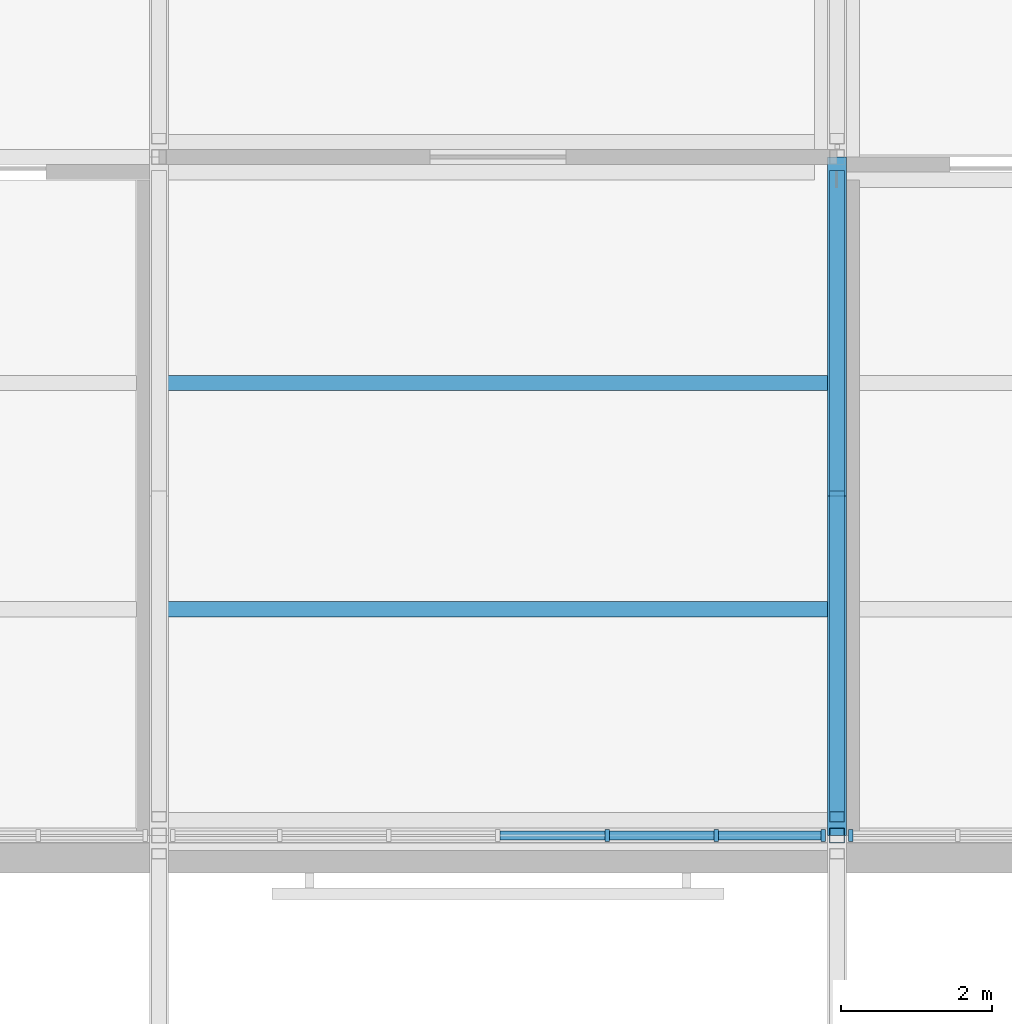
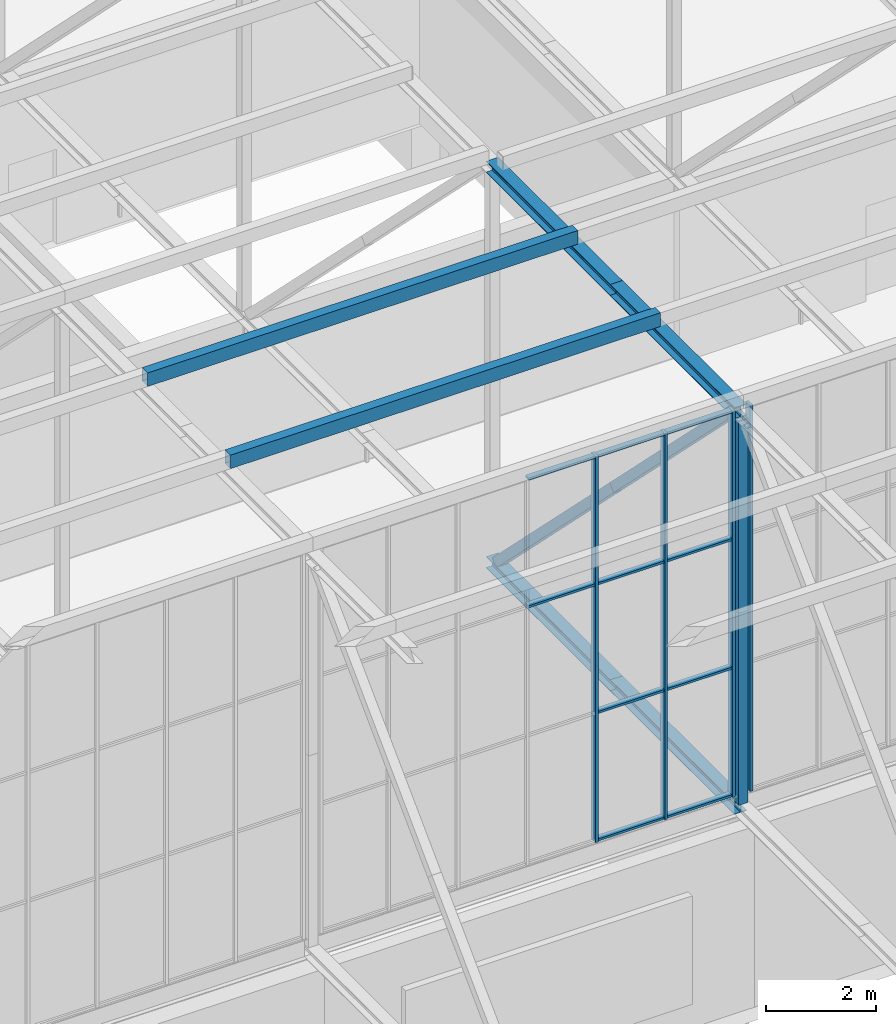
# One storey, part 12 of 646: 24 members, 2 elements without a shape of their own.
"""IFC4 building model written with IfcOpenShell, lengths in metres."""

from ifc_helpers import new_model, si_unit, direction, frame, origin, origin_2d, place, context, subcontext, project, spatial, rectangle, hollow_rectangle, i_section, extrude, material, material_profile, profile_set, type_object, element, aggregate, save


model = new_model("IFC4")

# Units and contexts
model_context = context("Model", 3, precision=1e-05, world=origin(), true_north=direction((0.0, 1.0)))
body_context = subcontext(model_context, "Body", "Model", "MODEL_VIEW")
ifc_project = project(units=[si_unit("LENGTHUNIT", "METRE"), si_unit("AREAUNIT", "SQUARE_METRE"), si_unit("VOLUMEUNIT", "CUBIC_METRE"), si_unit("PLANEANGLEUNIT", "RADIAN"), si_unit("MASSUNIT", "GRAM", prefix="KILO")], contexts=[model_context])

# Site, building, storey
site_placement = place(None, origin())
site = spatial("IfcSite", under=ifc_project, at=site_placement, CompositionType="ELEMENT")
building_placement = place(site_placement, origin())
building = spatial("IfcBuilding", under=site, at=building_placement, Name="Silverbay Arena", CompositionType="ELEMENT")
storey_placement = place(building_placement, frame((0.0, 0.0, 33.5)))
storey = spatial("IfcBuildingStorey", under=building, at=storey_placement, Name="L05", CompositionType="ELEMENT", Elevation=33.5)

# Members
ifc_material_1 = material(Name="Steel S355", Category="steel")
ifc_material_profile_1 = material_profile(ifc_material_1, i_section(OverallWidth=0.254638671875, OverallDepth=0.254150390625, WebThickness=0.008544921875, FlangeThickness=0.01416015625, at=origin_2d()), Name="UC 254x254x73")
ifc_profile_set_1 = profile_set([ifc_material_profile_1], Name="Steel S355")
member_type_1 = type_object("IfcMemberType", Name="Long-span bottom chord UC 254x254x73", PredefinedType="CHORD", material=ifc_profile_set_1)
for number, where, z_axis, x_axis, name in (
    (1, (81.0, 18.0, 4.126953125), (0.0, 1.0, 0.0), (-1.0, 0.0, 0.0), "ROOF TRUSS 10 bottom chord 02a"),
    (2, (81.0, 22.5, 4.126953125), (0.0, 1.0, 0.0), (-1.0, 0.0, 0.0), "ROOF TRUSS 10 bottom chord 02b"),
):
    element("IfcMember", number, at=place(storey_placement, frame(where, z_axis=z_axis, x_axis=x_axis)), inside=storey, type_object=member_type_1, Name=name, PredefinedType="CHORD", context=body_context, shape_type="SweptSolid", body=[
        extrude(i_section(OverallWidth=0.254638671875, OverallDepth=0.254150390625, WebThickness=0.008544921875, FlangeThickness=0.01416015625, at=origin_2d()), origin(), (0.0, 0.0, 1.0), 4.5),
    ])
ifc_material_2 = material(Name="Steel S355", Category="steel")
ifc_material_profile_2 = material_profile(ifc_material_2, i_section(OverallWidth=0.254638671875, OverallDepth=0.254150390625, WebThickness=0.008544921875, FlangeThickness=0.01416015625, at=origin_2d()), Name="UC 254x254x73")
ifc_profile_set_2 = profile_set([ifc_material_profile_2], Name="Steel S355")
member_type_2 = type_object("IfcMemberType", Name="Long-span top chord UC 254x254x73", PredefinedType="CHORD", material=ifc_profile_set_2)
for number, where, z_axis, x_axis, name in (
    (3, (81.0, 18.0, 12.873046875), (0.0, 1.0, 0.0), (-1.0, 0.0, 0.0), "ROOF TRUSS 10 top chord 02a"),
    (4, (81.0, 22.5, 12.873046875), (0.0, 1.0, 0.0), (-1.0, 0.0, 0.0), "ROOF TRUSS 10 top chord 02b"),
):
    element("IfcMember", number, at=place(storey_placement, frame(where, z_axis=z_axis, x_axis=x_axis)), inside=storey, type_object=member_type_2, Name=name, PredefinedType="CHORD", context=body_context, shape_type="SweptSolid", body=[
        extrude(i_section(OverallWidth=0.254638671875, OverallDepth=0.254150390625, WebThickness=0.008544921875, FlangeThickness=0.01416015625, at=origin_2d()), origin(), (0.0, 0.0, 1.0), 4.5),
    ])
ifc_material_3 = material(Name="Steel S355", Category="steel")
ifc_material_profile_3 = material_profile(ifc_material_3, hollow_rectangle(XDim=0.199951171875, YDim=0.199951171875, WallThickness=0.008056640625, at=origin_2d()), Name="SHS 200x200x8")
ifc_profile_set_3 = profile_set([ifc_material_profile_3], Name="Steel S355")
member_type_3 = type_object("IfcMemberType", Name="Long-span truss diagonal SHS 200x200x8", PredefinedType="BRACE", material=ifc_profile_set_3)
for number, where, z_axis, x_axis, name in (
    (5, (81.0, 18.24560546875, 12.745849609375), (0.0, 0.70781724692, -0.706395600894), (-1.0, 0.0, 0.0), "ROOF TRUSS 10 diagonal 02a"),
    (6, (81.0, 22.5, 8.5), (0.0, 0.70781724692, -0.706395600894), (-1.0, 0.0, 0.0), "ROOF TRUSS 10 diagonal 02b"),
):
    element("IfcMember", number, at=place(storey_placement, frame(where, z_axis=z_axis, x_axis=x_axis)), inside=storey, type_object=member_type_3, Name=name, PredefinedType="BRACE", context=body_context, shape_type="SweptSolid", body=[
        extrude(hollow_rectangle(XDim=0.199951171875, YDim=0.199951171875, WallThickness=0.008056640625, at=origin_2d()), origin(), (0.0, 0.0, 1.0), 6.010498046875),
    ])
ifc_material_4 = material(Name="Steel S355", Category="steel")
ifc_material_profile_4 = material_profile(ifc_material_4, hollow_rectangle(XDim=0.199951171875, YDim=0.199951171875, WallThickness=0.008056640625, at=origin_2d()), Name="SHS 200x200x8")
ifc_profile_set_4 = profile_set([ifc_material_profile_4], Name="Steel S355")
member_type_4 = type_object("IfcMemberType", Name="Long-span truss vertical SHS 200x200x8", PredefinedType="STRUT", material=ifc_profile_set_4)
for number, where, z_axis, x_axis, name in (
    (7, (81.0, 18.0, 4.254150390625), (0.0, 0.0, 1.0), (1.0, 0.0, 0.0), "ROOF TRUSS 10 vertical 02a"),
    (8, (81.0, 18.0, 8.5), (0.0, 0.0, 1.0), (1.0, 0.0, 0.0), "ROOF TRUSS 10 vertical 02b"),
):
    element("IfcMember", number, at=place(storey_placement, frame(where, z_axis=z_axis, x_axis=x_axis)), inside=storey, type_object=member_type_4, Name=name, PredefinedType="STRUT", context=body_context, shape_type="SweptSolid", body=[
        extrude(hollow_rectangle(XDim=0.199951171875, YDim=0.199951171875, WallThickness=0.008056640625, at=origin_2d()), origin(), (0.0, 0.0, 1.0), 4.245849609375),
    ])

# Curtain wall, members
ifc_material_5 = material(Name="Aluminium framed glazing", Category="aluminium")
curtain_wall_type = type_object("IfcCurtainWallType", Name="Curtain wall clerestory 8693 x 8540", PredefinedType="NOTDEFINED", material=ifc_material_5)
curtain_wall_1_placement = place(storey_placement, origin())
curtain_wall_1 = element("IfcCurtainWall", 9, at=curtain_wall_1_placement, inside=storey, type_object=curtain_wall_type, Name="ROOF CLERESTORY CURTAIN WALL south bay 03", PredefinedType="NOTDEFINED")
ifc_material_6 = material(Name="Aluminium", Category="aluminium")
ifc_material_profile_5 = material_profile(ifc_material_6, rectangle(XDim=0.159912109375, YDim=0.06005859375, at=origin_2d()), Name="Mullion 60 x 160")
ifc_profile_set_5 = profile_set([ifc_material_profile_5], Name="Aluminium")
member_type_5 = type_object("IfcMemberType", Name="Mullion 60 x 160", PredefinedType="MULLION", material=ifc_profile_set_5)
member_1_placement = place(storey_placement, frame((77.94873046875, 18.0, 4.4599609375), z_axis=(0.0, 0.0, 1.0), x_axis=(0.0, 1.0, 0.0)))
member_1 = element("IfcMember", 10, at=member_1_placement, type_object=member_type_5, Name="CW55 mullion 5", PredefinedType="MULLION", context=body_context, shape_type="SweptSolid", body=[
    extrude(rectangle(XDim=0.159912109375, YDim=0.06005859375, at=origin_2d()), origin(), (0.0, 0.0, 1.0), 8.5400390625),
])
member_2_placement = place(storey_placement, frame((79.3974609375, 18.0, 4.4599609375), z_axis=(0.0, 0.0, 1.0), x_axis=(0.0, 1.0, 0.0)))
member_2 = element("IfcMember", 11, at=member_2_placement, type_object=member_type_5, Name="CW55 mullion 6", PredefinedType="MULLION", context=body_context, shape_type="SweptSolid", body=[
    extrude(rectangle(XDim=0.159912109375, YDim=0.06005859375, at=origin_2d()), origin(), (0.0, 0.0, 1.0), 8.5400390625),
])
member_3_placement = place(storey_placement, frame((80.81640625, 18.0, 4.4599609375), z_axis=(0.0, 0.0, 1.0), x_axis=(0.0, 1.0, 0.0)))
member_3 = element("IfcMember", 12, at=member_3_placement, type_object=member_type_5, Name="CW55 mullion 7", PredefinedType="MULLION", context=body_context, shape_type="SweptSolid", body=[
    extrude(rectangle(XDim=0.159912109375, YDim=0.06005859375, at=origin_2d()), origin(), (0.0, 0.0, 1.0), 8.5400390625),
])

# Curtain wall, member
curtain_wall_2_placement = place(storey_placement, origin())
curtain_wall_2 = element("IfcCurtainWall", 13, at=curtain_wall_2_placement, inside=storey, type_object=curtain_wall_type, Name="ROOF CLERESTORY CURTAIN WALL south bay 04", PredefinedType="NOTDEFINED")
member_4_placement = place(storey_placement, frame((81.18359375, 18.0, 4.4599609375), z_axis=(0.0, 0.0, 1.0), x_axis=(0.0, 1.0, 0.0)))
member_4 = element("IfcMember", 14, at=member_4_placement, type_object=member_type_5, Name="CW55 mullion 1", PredefinedType="MULLION", context=body_context, shape_type="SweptSolid", body=[
    extrude(rectangle(XDim=0.159912109375, YDim=0.06005859375, at=origin_2d()), origin(), (0.0, 0.0, 1.0), 8.5400390625),
])
aggregate(curtain_wall_2, [member_4])

# Members
ifc_material_7 = material(Name="Steel S355", Category="steel")
ifc_material_profile_6 = material_profile(ifc_material_7, hollow_rectangle(XDim=0.199951171875, YDim=0.300048828125, WallThickness=0.00634765625, at=origin_2d()), Name="RHS 300x200x6.3")
ifc_profile_set_6 = profile_set([ifc_material_profile_6], Name="Steel S355")
member_type_6 = type_object("IfcMemberType", Name="Purlin RHS 300x200x6.3", PredefinedType="PURLIN", material=ifc_profile_set_6)
member_5_placement = place(storey_placement, frame((72.0, 24.0, 13.14990234375), z_axis=(1.0, 0.0, 0.0), x_axis=(0.0, 1.0, 0.0)))
element("IfcMember", 15, at=member_5_placement, inside=storey, type_object=member_type_6, Name="ROOF PURLIN 9-10 line 06", PredefinedType="PURLIN", context=body_context, shape_type="SweptSolid", body=[
    extrude(hollow_rectangle(XDim=0.199951171875, YDim=0.300048828125, WallThickness=0.00634765625, at=origin_2d()), origin(), (0.0, 0.0, 1.0), 9.0),
])
ifc_material_8 = material(Name="Steel S355", Category="steel")
ifc_material_profile_7 = material_profile(ifc_material_8, hollow_rectangle(XDim=0.199951171875, YDim=0.300048828125, WallThickness=0.008056640625, at=origin_2d()), Name="RHS 300x200x8")
ifc_profile_set_7 = profile_set([ifc_material_profile_7], Name="Steel S355")
member_type_7 = type_object("IfcMemberType", Name="Purlin RHS 300x200x8", PredefinedType="PURLIN", material=ifc_profile_set_7)
member_6_placement = place(storey_placement, frame((72.0, 21.0, 13.14990234375), z_axis=(1.0, 0.0, 0.0), x_axis=(0.0, 1.0, 0.0)))
element("IfcMember", 16, at=member_6_placement, inside=storey, type_object=member_type_7, Name="ROOF PURLIN 9-10 line 05", PredefinedType="PURLIN", context=body_context, shape_type="SweptSolid", body=[
    extrude(hollow_rectangle(XDim=0.199951171875, YDim=0.300048828125, WallThickness=0.008056640625, at=origin_2d()), origin(), (0.0, 0.0, 1.0), 9.0),
])

# Member
ifc_material_9 = material(Name="Aluminium", Category="aluminium")
ifc_material_profile_8 = material_profile(ifc_material_9, rectangle(XDim=0.1201171875, YDim=0.050048828125, at=origin_2d()), Name="Transom 50 x 120")
ifc_profile_set_8 = profile_set([ifc_material_profile_8], Name="Aluminium")
member_type_8 = type_object("IfcMemberType", Name="Transom 50 x 120", PredefinedType="USERDEFINED", material=ifc_profile_set_8)
member_7_placement = place(storey_placement, frame((76.530029296875, 18.0, 10.1533203125), z_axis=(1.0, 0.0, 0.0), x_axis=(0.0, 1.0, 0.0)))
member_7 = element("IfcMember", 17, at=member_7_placement, type_object=member_type_8, Name="CW55 transom 4.3", ObjectType="TRANSOM", PredefinedType="USERDEFINED", context=body_context, shape_type="SweptSolid", body=[
    extrude(rectangle(XDim=0.1201171875, YDim=0.050048828125, at=origin_2d()), origin(), (0.0, 0.0, 1.0), 1.388671875),
])

member_8_placement = place(storey_placement, frame((76.530029296875, 18.0, 12.97509765625), z_axis=(1.0, 0.0, 0.0), x_axis=(0.0, 1.0, 0.0)))
member_8 = element("IfcMember", 18, at=member_8_placement, type_object=member_type_8, Name="CW55 transom 4.4", ObjectType="TRANSOM", PredefinedType="USERDEFINED", context=body_context, shape_type="SweptSolid", body=[
    extrude(rectangle(XDim=0.1201171875, YDim=0.050048828125, at=origin_2d()), origin(), (0.0, 0.0, 1.0), 1.388671875),
])

member_9_placement = place(storey_placement, frame((77.978759765625, 18.0, 4.485107421875), z_axis=(1.0, 0.0, 0.0), x_axis=(0.0, 1.0, 0.0)))
member_9 = element("IfcMember", 19, at=member_9_placement, type_object=member_type_8, Name="CW55 transom 5.1", ObjectType="TRANSOM", PredefinedType="USERDEFINED", context=body_context, shape_type="SweptSolid", body=[
    extrude(rectangle(XDim=0.1201171875, YDim=0.050048828125, at=origin_2d()), origin(), (0.0, 0.0, 1.0), 1.388671875),
])

member_10_placement = place(storey_placement, frame((77.978759765625, 18.0, 7.306640625), z_axis=(1.0, 0.0, 0.0), x_axis=(0.0, 1.0, 0.0)))
member_10 = element("IfcMember", 20, at=member_10_placement, type_object=member_type_8, Name="CW55 transom 5.2", ObjectType="TRANSOM", PredefinedType="USERDEFINED", context=body_context, shape_type="SweptSolid", body=[
    extrude(rectangle(XDim=0.1201171875, YDim=0.050048828125, at=origin_2d()), origin(), (0.0, 0.0, 1.0), 1.388671875),
])

member_11_placement = place(storey_placement, frame((77.978759765625, 18.0, 10.1533203125), z_axis=(1.0, 0.0, 0.0), x_axis=(0.0, 1.0, 0.0)))
member_11 = element("IfcMember", 21, at=member_11_placement, type_object=member_type_8, Name="CW55 transom 5.3", ObjectType="TRANSOM", PredefinedType="USERDEFINED", context=body_context, shape_type="SweptSolid", body=[
    extrude(rectangle(XDim=0.1201171875, YDim=0.050048828125, at=origin_2d()), origin(), (0.0, 0.0, 1.0), 1.388671875),
])

member_12_placement = place(storey_placement, frame((77.978759765625, 18.0, 12.97509765625), z_axis=(1.0, 0.0, 0.0), x_axis=(0.0, 1.0, 0.0)))
member_12 = element("IfcMember", 22, at=member_12_placement, type_object=member_type_8, Name="CW55 transom 5.4", ObjectType="TRANSOM", PredefinedType="USERDEFINED", context=body_context, shape_type="SweptSolid", body=[
    extrude(rectangle(XDim=0.1201171875, YDim=0.050048828125, at=origin_2d()), origin(), (0.0, 0.0, 1.0), 1.388671875),
])

member_13_placement = place(storey_placement, frame((79.427490234375, 18.0, 4.485107421875), z_axis=(1.0, 0.0, 0.0), x_axis=(0.0, 1.0, 0.0)))
member_13 = element("IfcMember", 23, at=member_13_placement, type_object=member_type_8, Name="CW55 transom 6.1", ObjectType="TRANSOM", PredefinedType="USERDEFINED", context=body_context, shape_type="SweptSolid", body=[
    extrude(rectangle(XDim=0.1201171875, YDim=0.050048828125, at=origin_2d()), origin(), (0.0, 0.0, 1.0), 1.35888671875),
])

member_14_placement = place(storey_placement, frame((79.427490234375, 18.0, 7.306640625), z_axis=(1.0, 0.0, 0.0), x_axis=(0.0, 1.0, 0.0)))
member_14 = element("IfcMember", 24, at=member_14_placement, type_object=member_type_8, Name="CW55 transom 6.2", ObjectType="TRANSOM", PredefinedType="USERDEFINED", context=body_context, shape_type="SweptSolid", body=[
    extrude(rectangle(XDim=0.1201171875, YDim=0.050048828125, at=origin_2d()), origin(), (0.0, 0.0, 1.0), 1.35888671875),
])

member_15_placement = place(storey_placement, frame((79.427490234375, 18.0, 10.1533203125), z_axis=(1.0, 0.0, 0.0), x_axis=(0.0, 1.0, 0.0)))
member_15 = element("IfcMember", 25, at=member_15_placement, type_object=member_type_8, Name="CW55 transom 6.3", ObjectType="TRANSOM", PredefinedType="USERDEFINED", context=body_context, shape_type="SweptSolid", body=[
    extrude(rectangle(XDim=0.1201171875, YDim=0.050048828125, at=origin_2d()), origin(), (0.0, 0.0, 1.0), 1.35888671875),
])

member_16_placement = place(storey_placement, frame((79.427490234375, 18.0, 12.97509765625), z_axis=(1.0, 0.0, 0.0), x_axis=(0.0, 1.0, 0.0)))
member_16 = element("IfcMember", 26, at=member_16_placement, type_object=member_type_8, Name="CW55 transom 6.4", ObjectType="TRANSOM", PredefinedType="USERDEFINED", context=body_context, shape_type="SweptSolid", body=[
    extrude(rectangle(XDim=0.1201171875, YDim=0.050048828125, at=origin_2d()), origin(), (0.0, 0.0, 1.0), 1.35888671875),
])

aggregate(curtain_wall_1, [member_1, member_2, member_3, member_7, member_8, member_9, member_10, member_11, member_12, member_13, member_14, member_15, member_16])

save(model, "model.ifc")
